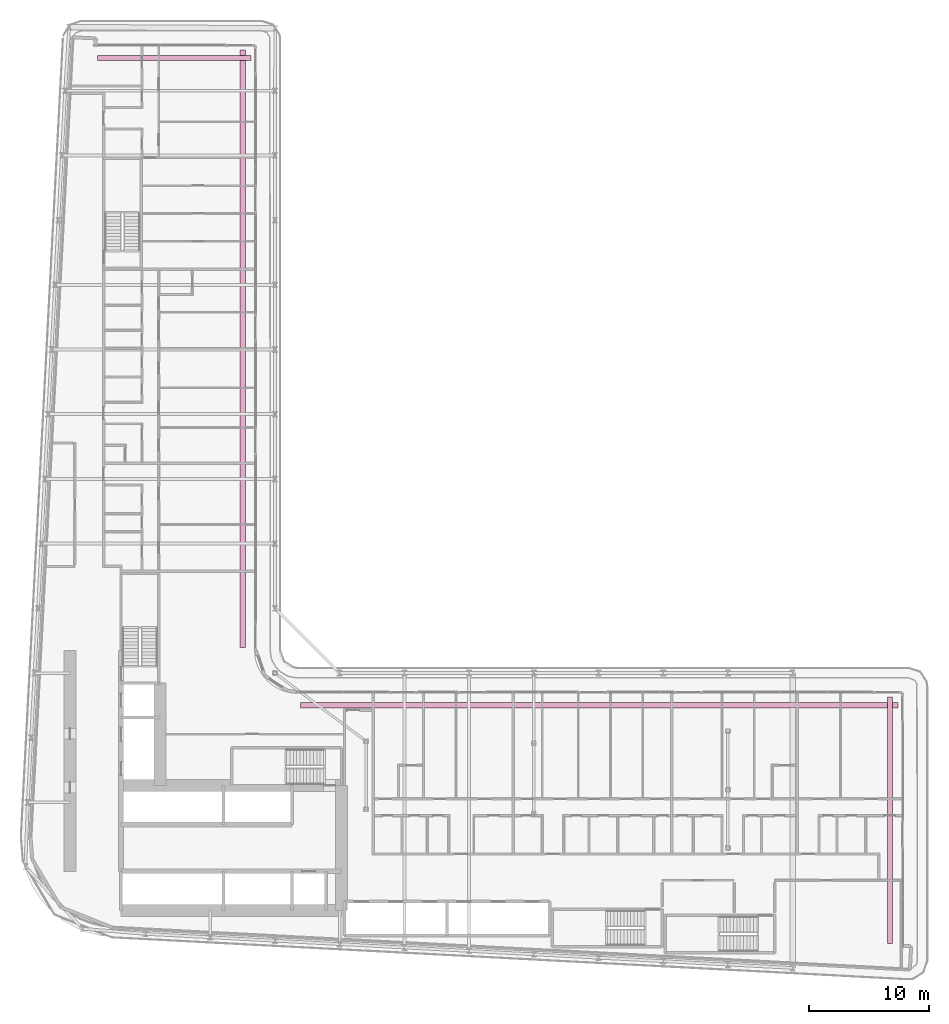
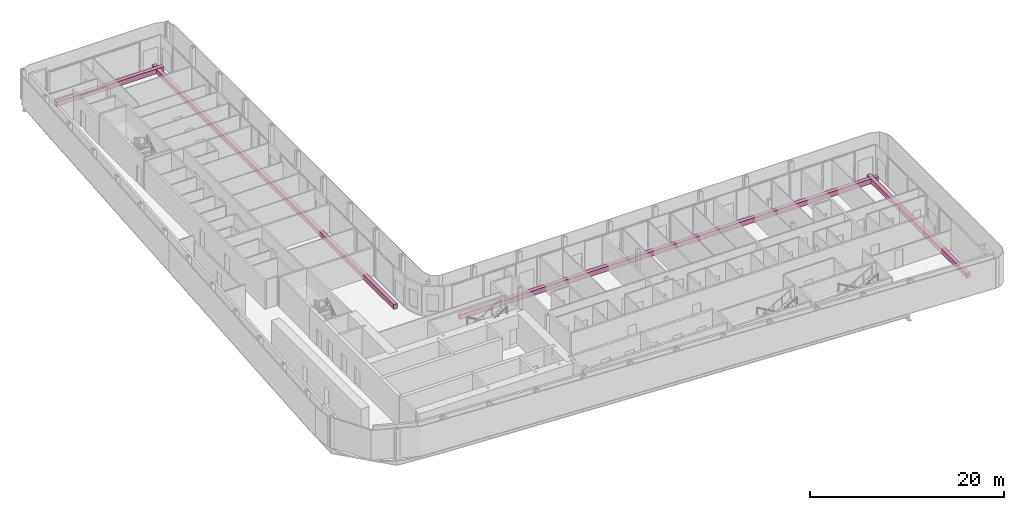
# One storey, part 28 of 28: 4 furniture elements.
"""IFC4 building model written with IfcOpenShell, lengths in metres."""

from ifc_helpers import new_model, si_unit, direction, frame, origin, origin_2d, place, context, subcontext, project, spatial, rectangle, extrude, material, type_object, element, save


model = new_model("IFC4")

# Units and contexts
model_context = context("Model", 3, precision=1e-05, world=origin(), true_north=direction((0.0, 1.0)))
body_context = subcontext(model_context, "Body", "Model", "MODEL_VIEW")
ifc_project = project(units=[si_unit("LENGTHUNIT", "METRE"), si_unit("AREAUNIT", "SQUARE_METRE"), si_unit("VOLUMEUNIT", "CUBIC_METRE"), si_unit("PLANEANGLEUNIT", "RADIAN"), si_unit("MASSUNIT", "GRAM", prefix="KILO")], contexts=[model_context])

# Site, building, storey
site_placement = place(None, origin())
site = spatial("IfcSite", under=ifc_project, at=site_placement, CompositionType="ELEMENT")
building_placement = place(site_placement, origin())
building = spatial("IfcBuilding", under=site, at=building_placement, Name="Kheshtan School and Residences Tower", CompositionType="ELEMENT")
storey_placement = place(building_placement, frame((0.0, 0.0, 77.300048828125)))
storey = spatial("IfcBuildingStorey", under=building, at=storey_placement, Name="L18", CompositionType="ELEMENT", Elevation=77.300048828125)

# Furniture
ifc_material = material(Name="Precast concrete C30/37 in terracotta finish", Category="masonry")
furniture_type = type_object("IfcFurnitureType", Name="Planter trough", AssemblyPlace="NOTDEFINED", PredefinedType="USERDEFINED", material=ifc_material)
furniture_1_placement = place(storey_placement, frame((39.196044921875, 96.925048828125, 0.0), z_axis=(0.0, 0.0, 1.0), x_axis=(1.0, 0.0, 0.0)))
element("IfcFurniture", 1, at=furniture_1_placement, inside=storey, type_object=furniture_type, Name="Planter L18", ObjectType="PLANTER", PredefinedType="USERDEFINED", context=body_context, shape_type="SweptSolid", body=[
    extrude(rectangle(XDim=12.80810546875, YDim=0.449951171875, at=origin_2d()), origin(), (0.0, 0.0, 1.0), 0.60009765625),
])
for number, where, z_axis, x_axis, name in (
    (2, (44.925048828125, 72.6650390625, 0.0), (0.0, 0.0, 1.0), (0.0, -1.0, 0.0), "Planter L18"),
    (3, (74.6650390625, 42.925048828125, 0.0), (0.0, 0.0, 1.0), (1.0, 0.0, 0.0), "Planter L18"),
):
    element("IfcFurniture", number, at=place(storey_placement, frame(where, z_axis=z_axis, x_axis=x_axis)), inside=storey, type_object=furniture_type, Name=name, ObjectType="PLANTER", PredefinedType="USERDEFINED", context=body_context, shape_type="SweptSolid", body=[
        extrude(rectangle(XDim=49.8701171875, YDim=0.449951171875, at=origin_2d()), origin(), (0.0, 0.0, 1.0), 0.60009765625),
    ])
furniture_2_placement = place(storey_placement, frame((98.925048828125, 33.306884765625, 0.0), z_axis=(0.0, 0.0, 1.0), x_axis=(0.0, -1.0, 0.0)))
element("IfcFurniture", 4, at=furniture_2_placement, inside=storey, type_object=furniture_type, Name="Planter L18", ObjectType="PLANTER", PredefinedType="USERDEFINED", context=body_context, shape_type="SweptSolid", body=[
    extrude(rectangle(XDim=20.5859375, YDim=0.449951171875, at=origin_2d()), origin(), (0.0, 0.0, 1.0), 0.60009765625),
])

save(model, "model.ifc")
